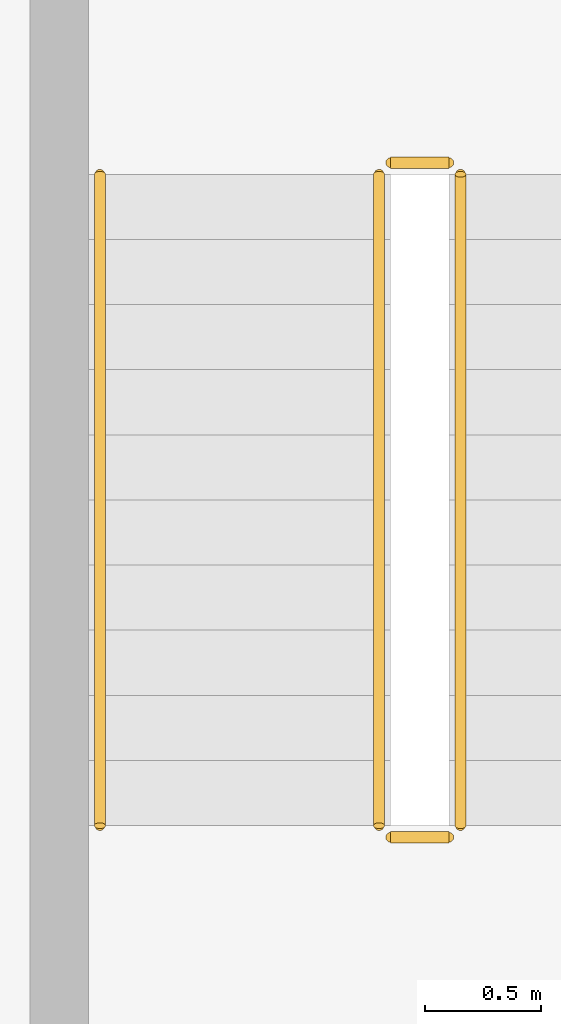
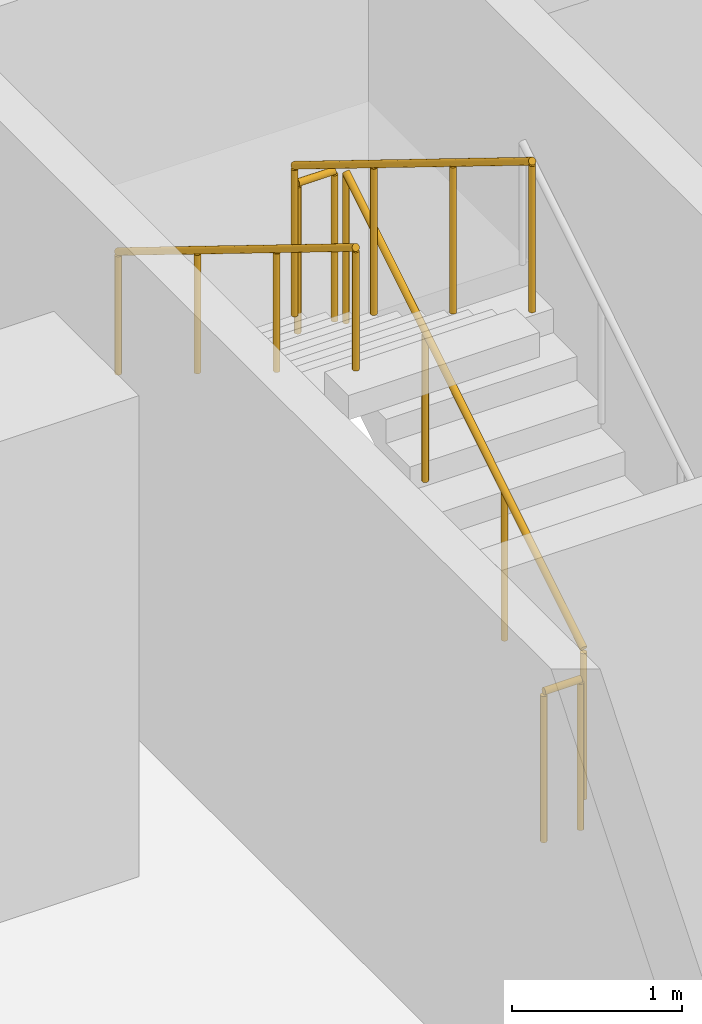
# One storey, part 29 of 32: 5 railings.
"""IFC4 building model written with IfcOpenShell, lengths in metres."""

from ifc_helpers import new_model, si_unit, direction, frame, origin, origin_2d, place, context, subcontext, project, spatial, circle, extrude, material, type_object, element, save


model = new_model("IFC4")

# Units and contexts
model_context = context("Model", 3, precision=1e-05, world=origin(), true_north=direction((0.0, 1.0)))
body_context = subcontext(model_context, "Body", "Model", "MODEL_VIEW")
ifc_project = project(units=[si_unit("LENGTHUNIT", "METRE"), si_unit("AREAUNIT", "SQUARE_METRE"), si_unit("VOLUMEUNIT", "CUBIC_METRE"), si_unit("PLANEANGLEUNIT", "RADIAN"), si_unit("MASSUNIT", "GRAM", prefix="KILO")], contexts=[model_context])

# Site, building, storey
site_placement = place(None, origin())
site = spatial("IfcSite", under=ifc_project, at=site_placement, CompositionType="ELEMENT")
building_placement = place(site_placement, origin())
building = spatial("IfcBuilding", under=site, at=building_placement, Name="Mahtab Terrace Research Tower", CompositionType="ELEMENT")
storey_placement = place(building_placement, frame((0.0, 0.0, 240.0)))
storey = spatial("IfcBuildingStorey", under=building, at=storey_placement, Name="L58", CompositionType="ELEMENT", Elevation=240.0)

# Railings
ifc_material = material(Name="Stainless steel AISI 304", Category="steel")
railing_type_1 = type_object("IfcRailingType", Name="Stair guard 1100", PredefinedType="GUARDRAIL", material=ifc_material)
railing_1_placement = place(storey_placement, frame((21.050048828125, 10.175048828125, 0.172607421875)))
element("IfcRailing", 1, at=railing_1_placement, inside=storey, type_object=railing_type_1, Name="L58 ST3 stair guard 1", PredefinedType="GUARDRAIL", context=body_context, shape_type="SweptSolid", body=[
    extrude(circle(Radius=0.02392578125, at=origin_2d()), frame((0.0, 0.0, 1.076171875), z_axis=(0.0, 0.851089632645, 0.525020415988), x_axis=(-1.0, 0.0, 0.0)), (0.0, 0.0, 1.0), 3.2900390625),
    extrude(circle(Radius=0.02099609375, at=origin_2d()), origin(), (0.0, 0.0, 1.0), 1.052001953125),
    extrude(circle(Radius=0.02099609375, at=origin_2d()), frame((0.0, 0.933349609375, 0.57568359375)), (0.0, 0.0, 1.0), 1.052001953125),
    extrude(circle(Radius=0.02099609375, at=origin_2d()), frame((0.0, 1.86669921875, 1.151611328125)), (0.0, 0.0, 1.0), 1.052001953125),
    extrude(circle(Radius=0.02099609375, at=origin_2d()), frame((0.0, 2.800048828125, 1.727294921875)), (0.0, 0.0, 1.0), 1.052001953125),
])
railing_2_placement = place(storey_placement, frame((21.0, 13.02490234375, 1.89990234375)))
element("IfcRailing", 2, at=railing_2_placement, inside=storey, type_object=railing_type_1, Name="L58 ST3 stair guard 2", PredefinedType="GUARDRAIL", context=body_context, shape_type="SweptSolid", body=[
    extrude(circle(Radius=0.02392578125, at=origin_2d()), frame((0.0, 0.0, 1.076171875), z_axis=(-1.0, 0.0, 0.0), x_axis=(0.0, -1.0, 0.0)), (0.0, 0.0, 1.0), 0.25),
    extrude(circle(Radius=0.02099609375, at=origin_2d()), origin(), (0.0, 0.0, 1.0), 1.052001953125),
    extrude(circle(Radius=0.02099609375, at=origin_2d()), frame((-0.25, 0.0, 0.0)), (0.0, 0.0, 1.0), 1.052001953125),
])
railing_3_placement = place(storey_placement, frame((20.699951171875, 12.97509765625, 2.07275390625)))
element("IfcRailing", 3, at=railing_3_placement, inside=storey, type_object=railing_type_1, Name="L58 ST3 stair guard 3", PredefinedType="GUARDRAIL", context=body_context, shape_type="SweptSolid", body=[
    extrude(circle(Radius=0.02392578125, at=origin_2d()), frame((0.0, 0.0, 1.076171875), z_axis=(0.0, -0.851089632645, 0.525020415988), x_axis=(1.0, 0.0, 0.0)), (0.0, 0.0, 1.0), 3.2900390625),
    extrude(circle(Radius=0.02099609375, at=origin_2d()), origin(), (0.0, 0.0, 1.0), 1.052001953125),
    extrude(circle(Radius=0.02099609375, at=origin_2d()), frame((0.0, -0.933349609375, 0.57568359375)), (0.0, 0.0, 1.0), 1.052001953125),
    extrude(circle(Radius=0.02099609375, at=origin_2d()), frame((0.0, -1.86669921875, 1.151611328125)), (0.0, 0.0, 1.0), 1.052001953125),
    extrude(circle(Radius=0.02099609375, at=origin_2d()), frame((0.0, -2.800048828125, 1.727294921875)), (0.0, 0.0, 1.0), 1.052001953125),
])
railing_4_placement = place(storey_placement, frame((21.0, 10.125, 0.0)))
element("IfcRailing", 4, at=railing_4_placement, inside=storey, type_object=railing_type_1, Name="L58 ST3 stair guard 4", PredefinedType="GUARDRAIL", context=body_context, shape_type="SweptSolid", body=[
    extrude(circle(Radius=0.02392578125, at=origin_2d()), frame((0.0, 0.0, 1.076171875), z_axis=(-1.0, 0.0, 0.0), x_axis=(0.0, -1.0, 0.0)), (0.0, 0.0, 1.0), 0.25),
    extrude(circle(Radius=0.02099609375, at=origin_2d()), origin(), (0.0, 0.0, 1.0), 1.052001953125),
    extrude(circle(Radius=0.02099609375, at=origin_2d()), frame((-0.25, 0.0, 0.0)), (0.0, 0.0, 1.0), 1.052001953125),
])
railing_type_2 = type_object("IfcRailingType", Name="Stair handrail 900", PredefinedType="HANDRAIL", material=ifc_material)
railing_5_placement = place(storey_placement, frame((19.5, 12.97509765625, 2.07275390625)))
element("IfcRailing", 5, at=railing_5_placement, inside=storey, type_object=railing_type_2, Name="L58 ST3 stair handrail 2", PredefinedType="HANDRAIL", context=body_context, shape_type="SweptSolid", body=[
    extrude(circle(Radius=0.02392578125, at=origin_2d()), frame((0.0, 0.0, 0.8759765625), z_axis=(0.0, -0.851089632645, 0.525020415988), x_axis=(1.0, 0.0, 0.0)), (0.0, 0.0, 1.0), 3.2900390625),
    extrude(circle(Radius=0.02099609375, at=origin_2d()), origin(), (0.0, 0.0, 1.0), 0.851806640625),
    extrude(circle(Radius=0.02099609375, at=origin_2d()), frame((0.0, -0.933349609375, 0.57568359375)), (0.0, 0.0, 1.0), 0.851806640625),
    extrude(circle(Radius=0.02099609375, at=origin_2d()), frame((0.0, -1.86669921875, 1.151611328125)), (0.0, 0.0, 1.0), 0.851806640625),
    extrude(circle(Radius=0.02099609375, at=origin_2d()), frame((0.0, -2.800048828125, 1.727294921875)), (0.0, 0.0, 1.0), 0.851806640625),
])

save(model, "model.ifc")
